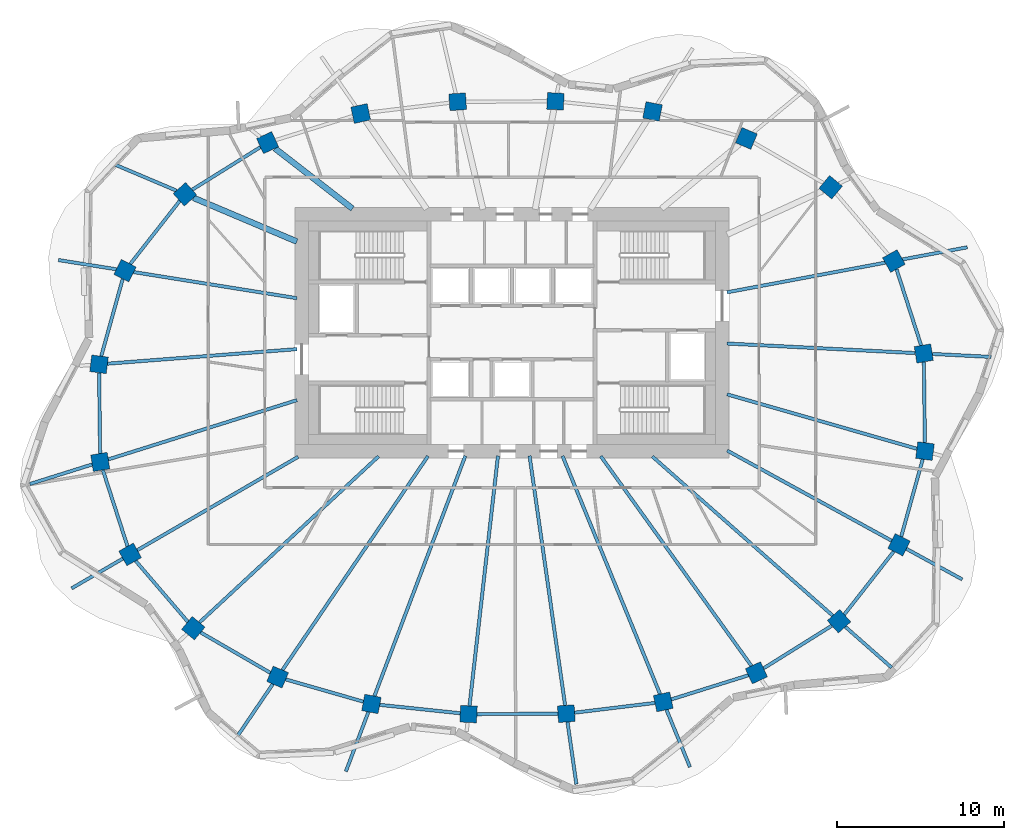
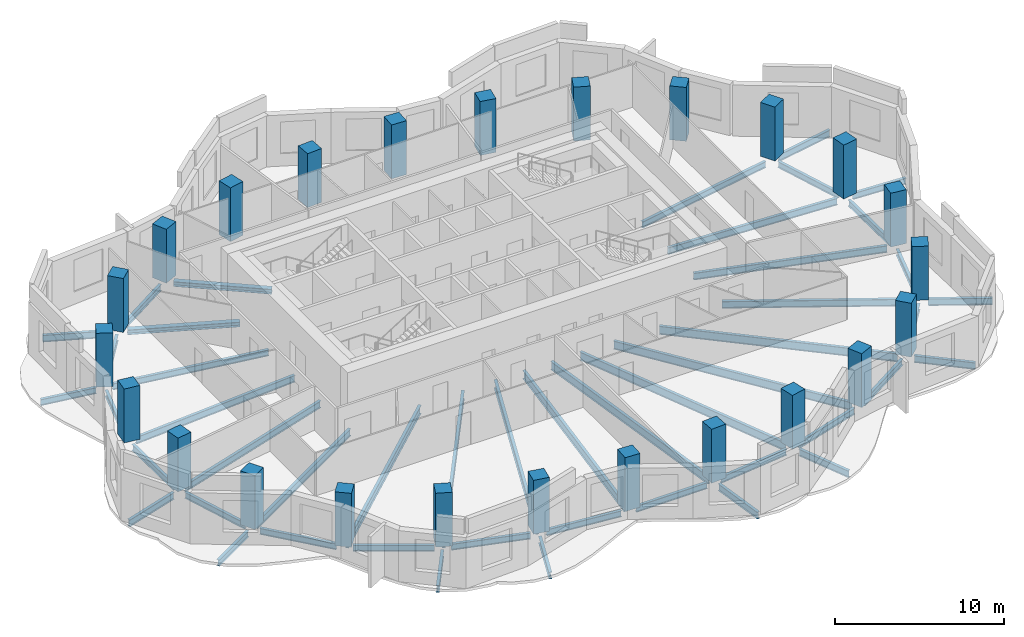
# One storey, part 1 of 9: 47 beams, 24 columns.
"""IFC4 building model written with IfcOpenShell, lengths in metres."""

from ifc_helpers import new_model, si_unit, direction, frame, origin, origin_2d, place, context, subcontext, project, spatial, rectangle, i_section, extrude, material, material_profile, profile_set, type_object, element, save


model = new_model("IFC4")

# Units and contexts
model_context = context("Model", 3, precision=1e-05, world=origin(), true_north=direction((0.0, 1.0)))
body_context = subcontext(model_context, "Body", "Model", "MODEL_VIEW")
ifc_project = project(units=[si_unit("LENGTHUNIT", "METRE"), si_unit("AREAUNIT", "SQUARE_METRE"), si_unit("VOLUMEUNIT", "CUBIC_METRE"), si_unit("PLANEANGLEUNIT", "RADIAN"), si_unit("MASSUNIT", "GRAM", prefix="KILO")], contexts=[model_context])

# Site, building, storey
site_placement = place(None, origin())
site = spatial("IfcSite", under=ifc_project, at=site_placement, CompositionType="ELEMENT")
building_placement = place(site_placement, origin())
building = spatial("IfcBuilding", under=site, at=building_placement, Name="Rubra Terraces Tower", CompositionType="ELEMENT")
storey_placement = place(building_placement, frame((0.0, 0.0, 225.300048828125)))
storey = spatial("IfcBuildingStorey", under=building, at=storey_placement, Name="L55", CompositionType="ELEMENT", Elevation=225.300048828125)

# Columns
ifc_material_1 = material(Name="Concrete C50", Category="concrete")
ifc_material_profile_1 = material_profile(ifc_material_1, rectangle(XDim=1.0, YDim=1.0, at=origin_2d()), Name="RC 1000x1000")
ifc_profile_set_1 = profile_set([ifc_material_profile_1], Name="Concrete C50")
column_type = type_object("IfcColumnType", Name="RING COLUMN RC 1000x1000 C50", PredefinedType="COLUMN", material=ifc_profile_set_1)
for number, where, z_axis, x_axis, name in (
    (1, (24.6689453125, 3.248046875, 0.0), (0.0, 0.0, 1.0), (-0.161559167715, 0.986863027642, 0.0), "column-L55-ring-01"),
    (2, (22.87890625, 8.787109375, 0.0), (0.0, 0.0, 1.0), (-0.48852601316, 0.872549330678, 0.0), "column-L55-ring-02"),
    (3, (19.092041015625, 13.208984375, 0.0), (0.0, 0.0, 1.0), (-0.76886986222, 0.63940529789, 0.0), "column-L55-ring-03"),
    (4, (14.0419921875, 16.135986328125, 0.0), (0.0, 0.0, 1.0), (-0.920167856842, 0.391524092789, 0.0), "column-L55-ring-04"),
    (5, (8.422119140625, 17.7490234375, 0.0), (0.0, 0.0, 1.0), (-0.981654668733, 0.19066754143, 0.0), "column-L55-ring-05"),
    (6, (2.60205078125, 18.35791015625, 0.0), (0.0, 0.0, 1.0), (-0.998764256028, 0.049698700995, 0.0), "column-L55-ring-06"),
    (7, (-3.25390625, 18.330078125, 0.0), (0.0, 0.0, 1.0), (-0.998031548759, -0.062713855578, 0.0), "column-L55-ring-07"),
    (8, (-9.06298828125, 17.625, 0.0), (0.0, 0.0, 1.0), (-0.977652674797, -0.210226657352, 0.0), "column-L55-ring-08"),
    (9, (-14.64306640625, 15.881103515625, 0.0), (0.0, 0.0, 1.0), (-0.908778580451, -0.417278673927, 0.0), "column-L55-ring-09"),
    (10, (-19.593017578125, 12.7900390625, 0.0), (0.0, 0.0, 1.0), (-0.744021317198, -0.668155879683, 0.0), "column-L55-ring-10"),
    (11, (-23.18505859375, 8.2099609375, 0.0), (0.0, 0.0, 1.0), (-0.451027931402, -0.892509834733, 0.0), "column-L55-ring-11"),
    (12, (-24.742919921875, 2.59912109375, 0.0), (0.0, 0.0, 1.0), (-0.128443684554, -0.991716804283, 0.0), "column-L55-ring-12"),
    (13, (-24.6689453125, -3.248046875, 0.0), (0.0, 0.0, 1.0), (0.161559167715, -0.986863027642, 0.0), "column-L55-ring-13"),
    (14, (-22.87890625, -8.787109375, 0.0), (0.0, 0.0, 1.0), (0.48852601316, -0.872549330678, 0.0), "column-L55-ring-14"),
    (15, (-19.092041015625, -13.208984375, 0.0), (0.0, 0.0, 1.0), (0.76886986222, -0.63940529789, 0.0), "column-L55-ring-15"),
    (16, (-14.0419921875, -16.135986328125, 0.0), (0.0, 0.0, 1.0), (0.920167856842, -0.391524092789, 0.0), "column-L55-ring-16"),
    (17, (-8.422119140625, -17.7490234375, 0.0), (0.0, 0.0, 1.0), (0.981654668733, -0.19066754143, 0.0), "column-L55-ring-17"),
    (18, (-2.60205078125, -18.35791015625, 0.0), (0.0, 0.0, 1.0), (0.998764256028, -0.049698700995, 0.0), "column-L55-ring-18"),
    (19, (3.25390625, -18.330078125, 0.0), (0.0, 0.0, 1.0), (0.998031548759, 0.062713855578, 0.0), "column-L55-ring-19"),
    (20, (9.06298828125, -17.625, 0.0), (0.0, 0.0, 1.0), (0.977652674797, 0.210226657352, 0.0), "column-L55-ring-20"),
    (21, (14.64306640625, -15.881103515625, 0.0), (0.0, 0.0, 1.0), (0.908778580451, 0.417278673927, 0.0), "column-L55-ring-21"),
    (22, (19.593017578125, -12.7900390625, 0.0), (0.0, 0.0, 1.0), (0.744021317198, 0.668155879683, 0.0), "column-L55-ring-22"),
    (23, (23.18505859375, -8.2099609375, 0.0), (0.0, 0.0, 1.0), (0.451027931402, 0.892509834733, 0.0), "column-L55-ring-23"),
    (24, (24.742919921875, -2.59912109375, 0.0), (0.0, 0.0, 1.0), (0.128443684554, 0.991716804283, 0.0), "column-L55-ring-24"),
):
    element("IfcColumn", number, at=place(storey_placement, frame(where, z_axis=z_axis, x_axis=x_axis)), inside=storey, type_object=column_type, Name=name, PredefinedType="COLUMN", context=body_context, shape_type="SweptSolid", body=[
        extrude(rectangle(XDim=1.0, YDim=1.0, at=origin_2d()), origin(), (0.0, 0.0, 1.0), 3.89990234375),
    ])

# Beams
ifc_material_2 = material(Name="Steel Q355B", Category="steel")
ifc_material_profile_2 = material_profile(ifc_material_2, i_section(OverallWidth=0.198974609375, OverallDepth=0.446044921875, WebThickness=0.008056640625, FlangeThickness=0.011962890625, at=origin_2d()), Name="HN 446x199x8x12")
ifc_profile_set_2 = profile_set([ifc_material_profile_2], Name="Steel Q355B")
beam_type_1 = type_object("IfcBeamType", Name="CANTILEVER BEAM HN 446x199x8x12", PredefinedType="BEAM", material=ifc_profile_set_2)
beam_1_placement = place(storey_placement, frame((25.179931640625, 3.221923828125, -0.423095703125), z_axis=(0.998718184473, -0.050616084437, 0.0), x_axis=(0.050616084437, 0.998718184473, 0.0)))
element("IfcBeam", 25, at=beam_1_placement, inside=storey, type_object=beam_type_1, Name="beam-L55-cant-01", PredefinedType="BEAM", context=body_context, shape_type="SweptSolid", body=[
    extrude(i_section(OverallWidth=0.198974609375, OverallDepth=0.446044921875, WebThickness=0.008056640625, FlangeThickness=0.011962890625, at=origin_2d()), origin(), (0.0, 0.0, 1.0), 3.53564453125),
])
beam_2_placement = place(storey_placement, frame((-23.702880859375, 8.29296875, -0.423095703125), z_axis=(-0.987460993252, 0.157863190158, 0.0), x_axis=(-0.157863190158, -0.987460993252, 0.0)))
element("IfcBeam", 26, at=beam_2_placement, inside=storey, type_object=beam_type_1, Name="beam-L55-cant-11", PredefinedType="BEAM", context=body_context, shape_type="SweptSolid", body=[
    extrude(i_section(OverallWidth=0.198974609375, OverallDepth=0.446044921875, WebThickness=0.008056640625, FlangeThickness=0.011962890625, at=origin_2d()), origin(), (0.0, 0.0, 1.0), 3.515380859375),
])
beam_3_placement = place(storey_placement, frame((-23.31103515625, -9.0380859375, -0.423095703125), z_axis=(-0.864736046466, -0.50222661214, 0.0), x_axis=(0.50222661214, -0.864736046466, 0.0)))
element("IfcBeam", 27, at=beam_3_placement, inside=storey, type_object=beam_type_1, Name="beam-L55-cant-14", PredefinedType="BEAM", context=body_context, shape_type="SweptSolid", body=[
    extrude(i_section(OverallWidth=0.198974609375, OverallDepth=0.446044921875, WebThickness=0.008056640625, FlangeThickness=0.011962890625, at=origin_2d()), origin(), (0.0, 0.0, 1.0), 3.555908203125),
])
ifc_material_profile_3 = material_profile(ifc_material_2, i_section(OverallWidth=0.198974609375, OverallDepth=0.49609375, WebThickness=0.009033203125, FlangeThickness=0.013916015625, at=origin_2d()), Name="HN 496x199x9x14")
ifc_profile_set_3 = profile_set([ifc_material_profile_3], Name="Steel Q355B")
beam_type_2 = type_object("IfcBeamType", Name="CANTILEVER BEAM HN 496x199x9x14", PredefinedType="BEAM", material=ifc_profile_set_3)
beam_4_placement = place(storey_placement, frame((23.39794921875, 8.884033203125, -0.447998046875), z_axis=(0.982865888577, 0.18432212312, 0.0), x_axis=(-0.18432212312, 0.982865888577, 0.0)))
element("IfcBeam", 28, at=beam_4_placement, inside=storey, type_object=beam_type_2, Name="beam-L55-cant-02", PredefinedType="BEAM", context=body_context, shape_type="SweptSolid", body=[
    extrude(i_section(OverallWidth=0.198974609375, OverallDepth=0.49609375, WebThickness=0.009033203125, FlangeThickness=0.013916015625, at=origin_2d()), origin(), (0.0, 0.0, 1.0), 3.94970703125),
])
beam_5_placement = place(storey_placement, frame((-20.10205078125, 13.0048828125, -0.447998046875), z_axis=(-0.920935678628, 0.389714608181, 0.0), x_axis=(-0.389714608181, -0.920935678628, 0.0)))
element("IfcBeam", 29, at=beam_5_placement, inside=storey, type_object=beam_type_2, Name="beam-L55-cant-10", PredefinedType="BEAM", context=body_context, shape_type="SweptSolid", body=[
    extrude(i_section(OverallWidth=0.198974609375, OverallDepth=0.49609375, WebThickness=0.009033203125, FlangeThickness=0.013916015625, at=origin_2d()), origin(), (0.0, 0.0, 1.0), 3.94921875),
])
beam_6_placement = place(storey_placement, frame((-25.15087890625, -3.39892578125, -0.447998046875), z_axis=(-0.954029392864, -0.299713058693, 0.0), x_axis=(0.299713058693, -0.954029392864, 0.0)))
element("IfcBeam", 30, at=beam_6_placement, inside=storey, type_object=beam_type_2, Name="beam-L55-cant-13", PredefinedType="BEAM", context=body_context, shape_type="SweptSolid", body=[
    extrude(i_section(OverallWidth=0.198974609375, OverallDepth=0.49609375, WebThickness=0.009033203125, FlangeThickness=0.013916015625, at=origin_2d()), origin(), (0.0, 0.0, 1.0), 3.9140625),
])
beam_7_placement = place(storey_placement, frame((-14.3291015625, -16.556884765625, -0.447998046875), z_axis=(-0.562402665117, -0.826863496757, 0.0), x_axis=(0.826863496757, -0.562402665117, 0.0)))
element("IfcBeam", 31, at=beam_7_placement, inside=storey, type_object=beam_type_2, Name="beam-L55-cant-16", PredefinedType="BEAM", context=body_context, shape_type="SweptSolid", body=[
    extrude(i_section(OverallWidth=0.198974609375, OverallDepth=0.49609375, WebThickness=0.009033203125, FlangeThickness=0.013916015625, at=origin_2d()), origin(), (0.0, 0.0, 1.0), 3.748046875),
])
beam_8_placement = place(storey_placement, frame((-8.60205078125, -18.222900390625, -0.447998046875), z_axis=(-0.353975284334, -0.935254777096, 0.0), x_axis=(0.935254777096, -0.353975284334, 0.0)))
element("IfcBeam", 32, at=beam_8_placement, inside=storey, type_object=beam_type_2, Name="beam-L55-cant-17", PredefinedType="BEAM", context=body_context, shape_type="SweptSolid", body=[
    extrude(i_section(OverallWidth=0.198974609375, OverallDepth=0.49609375, WebThickness=0.009033203125, FlangeThickness=0.013916015625, at=origin_2d()), origin(), (0.0, 0.0, 1.0), 3.816162109375),
])
beam_9_placement = place(storey_placement, frame((3.324951171875, -18.826904296875, -0.447998046875), z_axis=(0.140976698225, -0.990012914339, 0.0), x_axis=(0.990012914339, 0.140976698225, 0.0)))
element("IfcBeam", 33, at=beam_9_placement, inside=storey, type_object=beam_type_2, Name="beam-L55-cant-19", PredefinedType="BEAM", context=body_context, shape_type="SweptSolid", body=[
    extrude(i_section(OverallWidth=0.198974609375, OverallDepth=0.49609375, WebThickness=0.009033203125, FlangeThickness=0.013916015625, at=origin_2d()), origin(), (0.0, 0.0, 1.0), 3.7666015625),
])
beam_10_placement = place(storey_placement, frame((9.256103515625, -18.094970703125, -0.447998046875), z_axis=(0.378876573118, -0.925447212078, 0.0), x_axis=(0.925447212078, 0.378876573118, 0.0)))
element("IfcBeam", 34, at=beam_10_placement, inside=storey, type_object=beam_type_2, Name="beam-L55-cant-20", PredefinedType="BEAM", context=body_context, shape_type="SweptSolid", body=[
    extrude(i_section(OverallWidth=0.198974609375, OverallDepth=0.49609375, WebThickness=0.009033203125, FlangeThickness=0.013916015625, at=origin_2d()), origin(), (0.0, 0.0, 1.0), 3.705078125),
])
beam_11_placement = place(storey_placement, frame((19.969970703125, -13.123046875, -0.447998046875), z_axis=(0.749812800921, -0.66165003104, 0.0), x_axis=(0.66165003104, 0.749812800921, 0.0)))
element("IfcBeam", 35, at=beam_11_placement, inside=storey, type_object=beam_type_2, Name="beam-L55-cant-22", PredefinedType="BEAM", context=body_context, shape_type="SweptSolid", body=[
    extrude(i_section(OverallWidth=0.198974609375, OverallDepth=0.49609375, WebThickness=0.009033203125, FlangeThickness=0.013916015625, at=origin_2d()), origin(), (0.0, 0.0, 1.0), 3.69677734375),
])
beam_12_placement = place(storey_placement, frame((23.6240234375, -8.449951171875, -0.447998046875), z_axis=(0.876754126766, -0.480938874701, 0.0), x_axis=(0.480938874701, 0.876754126766, 0.0)))
element("IfcBeam", 36, at=beam_12_placement, inside=storey, type_object=beam_type_2, Name="beam-L55-cant-23", PredefinedType="BEAM", context=body_context, shape_type="SweptSolid", body=[
    extrude(i_section(OverallWidth=0.198974609375, OverallDepth=0.49609375, WebThickness=0.009033203125, FlangeThickness=0.013916015625, at=origin_2d()), origin(), (0.0, 0.0, 1.0), 3.8173828125),
])
ifc_material_profile_4 = material_profile(ifc_material_2, i_section(OverallWidth=0.198974609375, OverallDepth=0.446044921875, WebThickness=0.008056640625, FlangeThickness=0.011962890625, at=origin_2d()), Name="HN 446x199x8x12")
ifc_profile_set_4 = profile_set([ifc_material_profile_4], Name="Steel Q355B")
beam_type_3 = type_object("IfcBeamType", Name="FLOOR BEAM HN 446x199x8x12", PredefinedType="BEAM", material=ifc_profile_set_4)
beam_13_placement = place(storey_placement, frame((22.360107421875, 8.68994140625, -0.423095703125), z_axis=(-0.982895681695, -0.18416318553, 0.0), x_axis=(0.18416318553, -0.982895681695, 0.0)))
element("IfcBeam", 37, at=beam_13_placement, inside=storey, type_object=beam_type_3, Name="beam-L55-floor-02", PredefinedType="BEAM", context=body_context, shape_type="SweptSolid", body=[
    extrude(i_section(OverallWidth=0.198974609375, OverallDepth=0.446044921875, WebThickness=0.008056640625, FlangeThickness=0.011962890625, at=origin_2d()), origin(), (0.0, 0.0, 1.0), 9.64306640625),
])
beam_14_placement = place(storey_placement, frame((-22.6669921875, 8.126953125, -0.423095703125), z_axis=(0.987435404133, -0.158023171289, 0.0), x_axis=(0.158023171289, 0.987435404133, 0.0)))
element("IfcBeam", 38, at=beam_14_placement, inside=storey, type_object=beam_type_3, Name="beam-L55-floor-11", PredefinedType="BEAM", context=body_context, shape_type="SweptSolid", body=[
    extrude(i_section(OverallWidth=0.198974609375, OverallDepth=0.446044921875, WebThickness=0.008056640625, FlangeThickness=0.011962890625, at=origin_2d()), origin(), (0.0, 0.0, 1.0), 9.909423828125),
])
ifc_material_profile_5 = material_profile(ifc_material_2, i_section(OverallWidth=0.198974609375, OverallDepth=0.49609375, WebThickness=0.009033203125, FlangeThickness=0.013916015625, at=origin_2d()), Name="HN 496x199x9x14")
ifc_profile_set_5 = profile_set([ifc_material_profile_5], Name="Steel Q355B")
beam_type_4 = type_object("IfcBeamType", Name="FLOOR BEAM HN 496x199x9x14", PredefinedType="BEAM", material=ifc_profile_set_5)
beam_15_placement = place(storey_placement, frame((24.157958984375, 3.27392578125, -0.447998046875), z_axis=(-0.998716228561, 0.050654662269, 0.0), x_axis=(-0.050654662269, -0.998716228561, 0.0)))
element("IfcBeam", 39, at=beam_15_placement, inside=storey, type_object=beam_type_4, Name="beam-L55-floor-01", PredefinedType="BEAM", context=body_context, shape_type="SweptSolid", body=[
    extrude(i_section(OverallWidth=0.198974609375, OverallDepth=0.49609375, WebThickness=0.009033203125, FlangeThickness=0.013916015625, at=origin_2d()), origin(), (0.0, 0.0, 1.0), 11.29248046875),
])
beam_16_placement = place(storey_placement, frame((-24.23388671875, 2.637939453125, -0.447998046875), z_axis=(0.997063306908, 0.076581734234, 0.0), x_axis=(-0.076581734234, 0.997063306908, 0.0)))
element("IfcBeam", 40, at=beam_16_placement, inside=storey, type_object=beam_type_4, Name="beam-L55-floor-12", PredefinedType="BEAM", context=body_context, shape_type="SweptSolid", body=[
    extrude(i_section(OverallWidth=0.198974609375, OverallDepth=0.49609375, WebThickness=0.009033203125, FlangeThickness=0.013916015625, at=origin_2d()), origin(), (0.0, 0.0, 1.0), 11.387451171875),
])
beam_17_placement = place(storey_placement, frame((-24.18701171875, -3.096923828125, -0.447998046875), z_axis=(0.954040699023, 0.299677067204, 0.0), x_axis=(-0.299677067204, 0.954040699023, 0.0)))
element("IfcBeam", 41, at=beam_17_placement, inside=storey, type_object=beam_type_4, Name="beam-L55-floor-13", PredefinedType="BEAM", context=body_context, shape_type="SweptSolid", body=[
    extrude(i_section(OverallWidth=0.198974609375, OverallDepth=0.49609375, WebThickness=0.009033203125, FlangeThickness=0.013916015625, at=origin_2d()), origin(), (0.0, 0.0, 1.0), 11.845458984375),
])
beam_18_placement = place(storey_placement, frame((-22.447021484375, -8.535888671875, -0.447998046875), z_axis=(0.864755491844, 0.502193129508, 0.0), x_axis=(-0.502193129508, 0.864755491844, 0.0)))
element("IfcBeam", 42, at=beam_18_placement, inside=storey, type_object=beam_type_4, Name="beam-L55-floor-14", PredefinedType="BEAM", context=body_context, shape_type="SweptSolid", body=[
    extrude(i_section(OverallWidth=0.198974609375, OverallDepth=0.49609375, WebThickness=0.009033203125, FlangeThickness=0.013916015625, at=origin_2d()), origin(), (0.0, 0.0, 1.0), 11.14306640625),
])
beam_19_placement = place(storey_placement, frame((22.74609375, -7.969970703125, -0.447998046875), z_axis=(-0.876862055903, 0.480742066932, 0.0), x_axis=(-0.480742066932, -0.876862055903, 0.0)))
element("IfcBeam", 43, at=beam_19_placement, inside=storey, type_object=beam_type_4, Name="beam-L55-floor-23", PredefinedType="BEAM", context=body_context, shape_type="SweptSolid", body=[
    extrude(i_section(OverallWidth=0.198974609375, OverallDepth=0.49609375, WebThickness=0.009033203125, FlangeThickness=0.013916015625, at=origin_2d()), origin(), (0.0, 0.0, 1.0), 11.234375),
])
beam_20_placement = place(storey_placement, frame((24.257080078125, -2.4599609375, -0.447998046875), z_axis=(-0.961215754667, 0.275797521707, 0.0), x_axis=(-0.275797521707, -0.961215754667, 0.0)))
element("IfcBeam", 44, at=beam_20_placement, inside=storey, type_object=beam_type_4, Name="beam-L55-floor-24", PredefinedType="BEAM", context=body_context, shape_type="SweptSolid", body=[
    extrude(i_section(OverallWidth=0.198974609375, OverallDepth=0.49609375, WebThickness=0.009033203125, FlangeThickness=0.013916015625, at=origin_2d()), origin(), (0.0, 0.0, 1.0), 11.830810546875),
])
ifc_material_profile_6 = material_profile(ifc_material_2, i_section(OverallWidth=0.198974609375, OverallDepth=0.595947265625, WebThickness=0.010009765625, FlangeThickness=0.014892578125, at=origin_2d()), Name="HN 596x199x10x15")
ifc_profile_set_6 = profile_set([ifc_material_profile_6], Name="Steel Q355B")
beam_type_5 = type_object("IfcBeamType", Name="FLOOR BEAM HN 596x199x10x15", PredefinedType="BEAM", material=ifc_profile_set_6)
beam_21_placement = place(storey_placement, frame((-18.721923828125, -12.865966796875, -0.498046875), z_axis=(0.733130458484, 0.680088031687, 0.0), x_axis=(-0.680088031687, 0.733130458484, 0.0)))
element("IfcBeam", 45, at=beam_21_placement, inside=storey, type_object=beam_type_5, Name="beam-L55-floor-15", PredefinedType="BEAM", context=body_context, shape_type="SweptSolid", body=[
    extrude(i_section(OverallWidth=0.198974609375, OverallDepth=0.595947265625, WebThickness=0.010009765625, FlangeThickness=0.014892578125, at=origin_2d()), origin(), (0.0, 0.0, 1.0), 14.62744140625),
])
beam_22_placement = place(storey_placement, frame((-13.7548828125, -15.715087890625, -0.498046875), z_axis=(0.562545242124, 0.826766503049, 0.0), x_axis=(-0.826766503049, 0.562545242124, 0.0)))
element("IfcBeam", 46, at=beam_22_placement, inside=storey, type_object=beam_type_5, Name="beam-L55-floor-16", PredefinedType="BEAM", context=body_context, shape_type="SweptSolid", body=[
    extrude(i_section(OverallWidth=0.198974609375, OverallDepth=0.595947265625, WebThickness=0.010009765625, FlangeThickness=0.014892578125, at=origin_2d()), origin(), (0.0, 0.0, 1.0), 15.499267578125),
])
beam_23_placement = place(storey_placement, frame((-8.241943359375, -17.27490234375, -0.498046875), z_axis=(0.353955134415, 0.93526240319, 0.0), x_axis=(-0.93526240319, 0.353955134415, 0.0)))
element("IfcBeam", 47, at=beam_23_placement, inside=storey, type_object=beam_type_5, Name="beam-L55-floor-17", PredefinedType="BEAM", context=body_context, shape_type="SweptSolid", body=[
    extrude(i_section(OverallWidth=0.198974609375, OverallDepth=0.595947265625, WebThickness=0.010009765625, FlangeThickness=0.014892578125, at=origin_2d()), origin(), (0.0, 0.0, 1.0), 15.3828125),
])
beam_24_placement = place(storey_placement, frame((-2.544921875, -17.860107421875, -0.498046875), z_axis=(0.113084825914, 0.993585337124, 0.0), x_axis=(-0.993585337124, 0.113084825914, 0.0)))
element("IfcBeam", 48, at=beam_24_placement, inside=storey, type_object=beam_type_5, Name="beam-L55-floor-18", PredefinedType="BEAM", context=body_context, shape_type="SweptSolid", body=[
    extrude(i_section(OverallWidth=0.198974609375, OverallDepth=0.595947265625, WebThickness=0.010009765625, FlangeThickness=0.014892578125, at=origin_2d()), origin(), (0.0, 0.0, 1.0), 15.07568359375),
])
beam_25_placement = place(storey_placement, frame((3.18310546875, -17.8330078125, -0.498046875), z_axis=(-0.141104514479, 0.989994705033, 0.0), x_axis=(-0.989994705033, -0.141104514479, 0.0)))
element("IfcBeam", 49, at=beam_25_placement, inside=storey, type_object=beam_type_5, Name="beam-L55-floor-19", PredefinedType="BEAM", context=body_context, shape_type="SweptSolid", body=[
    extrude(i_section(OverallWidth=0.198974609375, OverallDepth=0.595947265625, WebThickness=0.010009765625, FlangeThickness=0.014892578125, at=origin_2d()), origin(), (0.0, 0.0, 1.0), 15.10302734375),
])
beam_26_placement = place(storey_placement, frame((8.8701171875, -17.155029296875, -0.498046875), z_axis=(-0.379015131933, 0.925390474214, 0.0), x_axis=(-0.925390474214, -0.379015131933, 0.0)))
element("IfcBeam", 50, at=beam_26_placement, inside=storey, type_object=beam_type_5, Name="beam-L55-floor-20", PredefinedType="BEAM", context=body_context, shape_type="SweptSolid", body=[
    extrude(i_section(OverallWidth=0.198974609375, OverallDepth=0.595947265625, WebThickness=0.010009765625, FlangeThickness=0.014892578125, at=origin_2d()), origin(), (0.0, 0.0, 1.0), 15.416259765625),
])
beam_27_placement = place(storey_placement, frame((14.345947265625, -15.467041015625, -0.498046875), z_axis=(-0.583528740197, 0.812092488183, 0.0), x_axis=(-0.812092488183, -0.583528740197, 0.0)))
element("IfcBeam", 51, at=beam_27_placement, inside=storey, type_object=beam_type_5, Name="beam-L55-floor-21", PredefinedType="BEAM", context=body_context, shape_type="SweptSolid", body=[
    extrude(i_section(OverallWidth=0.198974609375, OverallDepth=0.595947265625, WebThickness=0.010009765625, FlangeThickness=0.014892578125, at=origin_2d()), origin(), (0.0, 0.0, 1.0), 15.47119140625),
])
beam_28_placement = place(storey_placement, frame((19.216064453125, -12.45703125, -0.498046875), z_axis=(-0.749823025288, 0.661638444128, 0.0), x_axis=(-0.661638444128, -0.749823025288, 0.0)))
element("IfcBeam", 52, at=beam_28_placement, inside=storey, type_object=beam_type_5, Name="beam-L55-floor-22", PredefinedType="BEAM", context=body_context, shape_type="SweptSolid", body=[
    extrude(i_section(OverallWidth=0.198974609375, OverallDepth=0.595947265625, WebThickness=0.010009765625, FlangeThickness=0.014892578125, at=origin_2d()), origin(), (0.0, 0.0, 1.0), 14.412841796875),
])
ifc_material_profile_7 = material_profile(ifc_material_2, i_section(OverallWidth=0.35009765625, OverallDepth=0.35009765625, WebThickness=0.011962890625, FlangeThickness=0.01904296875, at=origin_2d()), Name="HW 350x350x12x19")
ifc_profile_set_7 = profile_set([ifc_material_profile_7], Name="Steel Q355B")
beam_type_6 = type_object("IfcBeamType", Name="FLOOR BEAM HW 350x350x12x19", PredefinedType="BEAM", material=ifc_profile_set_7)
beam_29_placement = place(storey_placement, frame((-14.197998046875, 15.534912109375, -0.375), z_axis=(0.789548898228, -0.613687654517, 0.0), x_axis=(0.613687654517, 0.789548898228, 0.0)))
element("IfcBeam", 53, at=beam_29_placement, inside=storey, type_object=beam_type_6, Name="beam-L55-floor-09", PredefinedType="BEAM", context=body_context, shape_type="SweptSolid", body=[
    extrude(i_section(OverallWidth=0.35009765625, OverallDepth=0.35009765625, WebThickness=0.011962890625, FlangeThickness=0.01904296875, at=origin_2d()), origin(), (0.0, 0.0, 1.0), 5.880615234375),
])
beam_30_placement = place(storey_placement, frame((-19.083984375, 12.574951171875, -0.375), z_axis=(0.92097476483, -0.38962223056, 0.0), x_axis=(0.38962223056, 0.92097476483, 0.0)))
element("IfcBeam", 54, at=beam_30_placement, inside=storey, type_object=beam_type_6, Name="beam-L55-floor-10", PredefinedType="BEAM", context=body_context, shape_type="SweptSolid", body=[
    extrude(i_section(OverallWidth=0.35009765625, OverallDepth=0.35009765625, WebThickness=0.011962890625, FlangeThickness=0.01904296875, at=origin_2d()), origin(), (0.0, 0.0, 1.0), 6.7265625),
])
ifc_material_profile_8 = material_profile(ifc_material_2, i_section(OverallWidth=0.198974609375, OverallDepth=0.446044921875, WebThickness=0.008056640625, FlangeThickness=0.011962890625, at=origin_2d()), Name="HN 446x199x8x12")
ifc_profile_set_8 = profile_set([ifc_material_profile_8], Name="Steel Q355B")
beam_type_7 = type_object("IfcBeamType", Name="SPANDREL BEAM HN 446x199x8x12", PredefinedType="SPANDREL", material=ifc_profile_set_8)
beam_31_placement = place(storey_placement, frame((24.512939453125, 3.72900390625, -0.423095703125), z_axis=(-0.307359002872, 0.951593633519, 0.0), x_axis=(-0.951593633519, -0.307359002872, 0.0)))
element("IfcBeam", 55, at=beam_31_placement, inside=storey, type_object=beam_type_7, Name="beam-L55-spandrel-01", PredefinedType="SPANDREL", context=body_context, shape_type="SweptSolid", body=[
    extrude(i_section(OverallWidth=0.198974609375, OverallDepth=0.446044921875, WebThickness=0.008056640625, FlangeThickness=0.011962890625, at=origin_2d()), origin(), (0.0, 0.0, 1.0), 4.8056640625),
])
beam_32_placement = place(storey_placement, frame((-15.071044921875, 15.614013671875, -0.423095703125), z_axis=(-0.848183088492, -0.529703170083, 0.0), x_axis=(0.529703170083, -0.848183088492, 0.0)))
element("IfcBeam", 56, at=beam_32_placement, inside=storey, type_object=beam_type_7, Name="beam-L55-spandrel-09", PredefinedType="SPANDREL", context=body_context, shape_type="SweptSolid", body=[
    extrude(i_section(OverallWidth=0.198974609375, OverallDepth=0.446044921875, WebThickness=0.008056640625, FlangeThickness=0.011962890625, at=origin_2d()), origin(), (0.0, 0.0, 1.0), 4.8232421875),
])
beam_33_placement = place(storey_placement, frame((-19.906005859375, 12.39111328125, -0.423095703125), z_axis=(-0.617060338015, -0.786915840004, 0.0), x_axis=(0.786915840004, -0.617060338015, 0.0)))
element("IfcBeam", 57, at=beam_33_placement, inside=storey, type_object=beam_type_7, Name="beam-L55-spandrel-10", PredefinedType="SPANDREL", context=body_context, shape_type="SweptSolid", body=[
    extrude(i_section(OverallWidth=0.198974609375, OverallDepth=0.446044921875, WebThickness=0.008056640625, FlangeThickness=0.011962890625, at=origin_2d()), origin(), (0.0, 0.0, 1.0), 4.8037109375),
])
beam_34_placement = place(storey_placement, frame((-23.321044921875, 7.718994140625, -0.423095703125), z_axis=(-0.267625533012, -0.963523001324, 0.0), x_axis=(0.963523001324, -0.267625533012, 0.0)))
element("IfcBeam", 58, at=beam_34_placement, inside=storey, type_object=beam_type_7, Name="beam-L55-spandrel-11", PredefinedType="SPANDREL", context=body_context, shape_type="SweptSolid", body=[
    extrude(i_section(OverallWidth=0.198974609375, OverallDepth=0.446044921875, WebThickness=0.008056640625, FlangeThickness=0.011962890625, at=origin_2d()), origin(), (0.0, 0.0, 1.0), 4.808349609375),
])
beam_35_placement = place(storey_placement, frame((-24.737060546875, 2.093994140625, -0.423095703125), z_axis=(0.012822047643, -0.999917794168, 0.0), x_axis=(0.999917794168, 0.012822047643, 0.0)))
element("IfcBeam", 59, at=beam_35_placement, inside=storey, type_object=beam_type_7, Name="beam-L55-spandrel-12", PredefinedType="SPANDREL", context=body_context, shape_type="SweptSolid", body=[
    extrude(i_section(OverallWidth=0.198974609375, OverallDepth=0.446044921875, WebThickness=0.008056640625, FlangeThickness=0.011962890625, at=origin_2d()), origin(), (0.0, 0.0, 1.0), 4.83642578125),
])
beam_36_placement = place(storey_placement, frame((-24.512939453125, -3.72900390625, -0.423095703125), z_axis=(0.307359002872, -0.951593633519, 0.0), x_axis=(0.951593633519, 0.307359002872, 0.0)))
element("IfcBeam", 60, at=beam_36_placement, inside=storey, type_object=beam_type_7, Name="beam-L55-spandrel-13", PredefinedType="SPANDREL", context=body_context, shape_type="SweptSolid", body=[
    extrude(i_section(OverallWidth=0.198974609375, OverallDepth=0.446044921875, WebThickness=0.008056640625, FlangeThickness=0.011962890625, at=origin_2d()), origin(), (0.0, 0.0, 1.0), 4.8056640625),
])
beam_37_placement = place(storey_placement, frame((-22.547119140625, -9.174072265625, -0.423095703125), z_axis=(0.650372836218, -0.759615148552, 0.0), x_axis=(0.759615148552, 0.650372836218, 0.0)))
element("IfcBeam", 61, at=beam_37_placement, inside=storey, type_object=beam_type_7, Name="beam-L55-spandrel-14", PredefinedType="SPANDREL", context=body_context, shape_type="SweptSolid", body=[
    extrude(i_section(OverallWidth=0.198974609375, OverallDepth=0.446044921875, WebThickness=0.008056640625, FlangeThickness=0.011962890625, at=origin_2d()), origin(), (0.0, 0.0, 1.0), 4.804931640625),
])
beam_38_placement = place(storey_placement, frame((-18.653076171875, -13.462890625, -0.423095703125), z_axis=(0.865153680787, -0.501506838059, 0.0), x_axis=(0.501506838059, 0.865153680787, 0.0)))
element("IfcBeam", 62, at=beam_38_placement, inside=storey, type_object=beam_type_7, Name="beam-L55-spandrel-15", PredefinedType="SPANDREL", context=body_context, shape_type="SweptSolid", body=[
    extrude(i_section(OverallWidth=0.198974609375, OverallDepth=0.446044921875, WebThickness=0.008056640625, FlangeThickness=0.011962890625, at=origin_2d()), origin(), (0.0, 0.0, 1.0), 4.82568359375),
])
beam_39_placement = place(storey_placement, frame((-13.55810546875, -16.27490234375, -0.423095703125), z_axis=(0.961171164323, -0.275952881621, 0.0), x_axis=(0.275952881621, 0.961171164323, 0.0)))
element("IfcBeam", 63, at=beam_39_placement, inside=storey, type_object=beam_type_7, Name="beam-L55-spandrel-16", PredefinedType="SPANDREL", context=body_context, shape_type="SweptSolid", body=[
    extrude(i_section(OverallWidth=0.198974609375, OverallDepth=0.446044921875, WebThickness=0.008056640625, FlangeThickness=0.011962890625, at=origin_2d()), origin(), (0.0, 0.0, 1.0), 4.842041015625),
])
beam_40_placement = place(storey_placement, frame((-7.923095703125, -17.801025390625, -0.423095703125), z_axis=(0.994565426955, -0.104113454971, 0.0), x_axis=(0.104113454971, 0.994565426955, 0.0)))
element("IfcBeam", 64, at=beam_40_placement, inside=storey, type_object=beam_type_7, Name="beam-L55-spandrel-17", PredefinedType="SPANDREL", context=body_context, shape_type="SweptSolid", body=[
    extrude(i_section(OverallWidth=0.198974609375, OverallDepth=0.446044921875, WebThickness=0.008056640625, FlangeThickness=0.011962890625, at=origin_2d()), origin(), (0.0, 0.0, 1.0), 4.849365234375),
])
beam_41_placement = place(storey_placement, frame((-2.10107421875, -18.35595703125, -0.423095703125), z_axis=(0.999987852299, 0.004929021704, 0.0), x_axis=(-0.004929021704, 0.999987852299, 0.0)))
element("IfcBeam", 65, at=beam_41_placement, inside=storey, type_object=beam_type_7, Name="beam-L55-spandrel-18", PredefinedType="SPANDREL", context=body_context, shape_type="SweptSolid", body=[
    extrude(i_section(OverallWidth=0.198974609375, OverallDepth=0.446044921875, WebThickness=0.008056640625, FlangeThickness=0.011962890625, at=origin_2d()), origin(), (0.0, 0.0, 1.0), 4.85400390625),
])
beam_42_placement = place(storey_placement, frame((3.7509765625, -18.27001953125, -0.423095703125), z_axis=(0.992698018573, 0.120626049929, 0.0), x_axis=(-0.120626049929, 0.992698018573, 0.0)))
element("IfcBeam", 66, at=beam_42_placement, inside=storey, type_object=beam_type_7, Name="beam-L55-spandrel-19", PredefinedType="SPANDREL", context=body_context, shape_type="SweptSolid", body=[
    extrude(i_section(OverallWidth=0.198974609375, OverallDepth=0.446044921875, WebThickness=0.008056640625, FlangeThickness=0.011962890625, at=origin_2d()), origin(), (0.0, 0.0, 1.0), 4.849365234375),
])
beam_43_placement = place(storey_placement, frame((9.5419921875, -17.47509765625, -0.423095703125), z_axis=(0.954462027342, 0.298332429282, 0.0), x_axis=(-0.298332429282, 0.954462027342, 0.0)))
element("IfcBeam", 67, at=beam_43_placement, inside=storey, type_object=beam_type_7, Name="beam-L55-spandrel-20", PredefinedType="SPANDREL", context=body_context, shape_type="SweptSolid", body=[
    extrude(i_section(OverallWidth=0.198974609375, OverallDepth=0.446044921875, WebThickness=0.008056640625, FlangeThickness=0.011962890625, at=origin_2d()), origin(), (0.0, 0.0, 1.0), 4.840576171875),
])
beam_44_placement = place(storey_placement, frame((15.071044921875, -15.614013671875, -0.423095703125), z_axis=(0.848183088492, 0.529703170083, 0.0), x_axis=(-0.529703170083, 0.848183088492, 0.0)))
element("IfcBeam", 68, at=beam_44_placement, inside=storey, type_object=beam_type_7, Name="beam-L55-spandrel-21", PredefinedType="SPANDREL", context=body_context, shape_type="SweptSolid", body=[
    extrude(i_section(OverallWidth=0.198974609375, OverallDepth=0.446044921875, WebThickness=0.008056640625, FlangeThickness=0.011962890625, at=origin_2d()), origin(), (0.0, 0.0, 1.0), 4.8232421875),
])
beam_45_placement = place(storey_placement, frame((19.906005859375, -12.39111328125, -0.423095703125), z_axis=(0.617060338015, 0.786915840004, 0.0), x_axis=(-0.786915840004, 0.617060338015, 0.0)))
element("IfcBeam", 69, at=beam_45_placement, inside=storey, type_object=beam_type_7, Name="beam-L55-spandrel-22", PredefinedType="SPANDREL", context=body_context, shape_type="SweptSolid", body=[
    extrude(i_section(OverallWidth=0.198974609375, OverallDepth=0.446044921875, WebThickness=0.008056640625, FlangeThickness=0.011962890625, at=origin_2d()), origin(), (0.0, 0.0, 1.0), 4.8037109375),
])
beam_46_placement = place(storey_placement, frame((23.321044921875, -7.718994140625, -0.423095703125), z_axis=(0.267625533012, 0.963523001324, 0.0), x_axis=(-0.963523001324, 0.267625533012, 0.0)))
element("IfcBeam", 70, at=beam_46_placement, inside=storey, type_object=beam_type_7, Name="beam-L55-spandrel-23", PredefinedType="SPANDREL", context=body_context, shape_type="SweptSolid", body=[
    extrude(i_section(OverallWidth=0.198974609375, OverallDepth=0.446044921875, WebThickness=0.008056640625, FlangeThickness=0.011962890625, at=origin_2d()), origin(), (0.0, 0.0, 1.0), 4.808349609375),
])
beam_47_placement = place(storey_placement, frame((24.737060546875, -2.093994140625, -0.423095703125), z_axis=(-0.012822047643, 0.999917794168, 0.0), x_axis=(-0.999917794168, -0.012822047643, 0.0)))
element("IfcBeam", 71, at=beam_47_placement, inside=storey, type_object=beam_type_7, Name="beam-L55-spandrel-24", PredefinedType="SPANDREL", context=body_context, shape_type="SweptSolid", body=[
    extrude(i_section(OverallWidth=0.198974609375, OverallDepth=0.446044921875, WebThickness=0.008056640625, FlangeThickness=0.011962890625, at=origin_2d()), origin(), (0.0, 0.0, 1.0), 4.83642578125),
])

save(model, "model.ifc")
